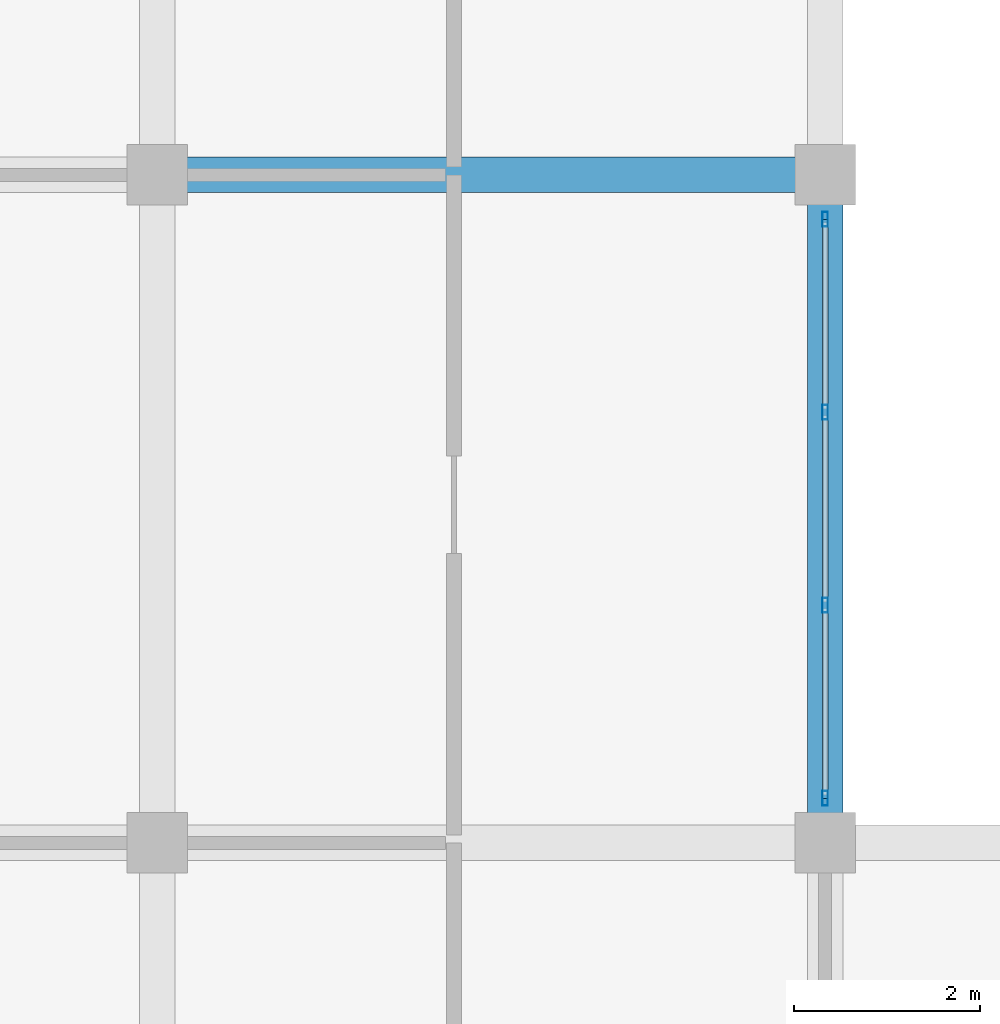
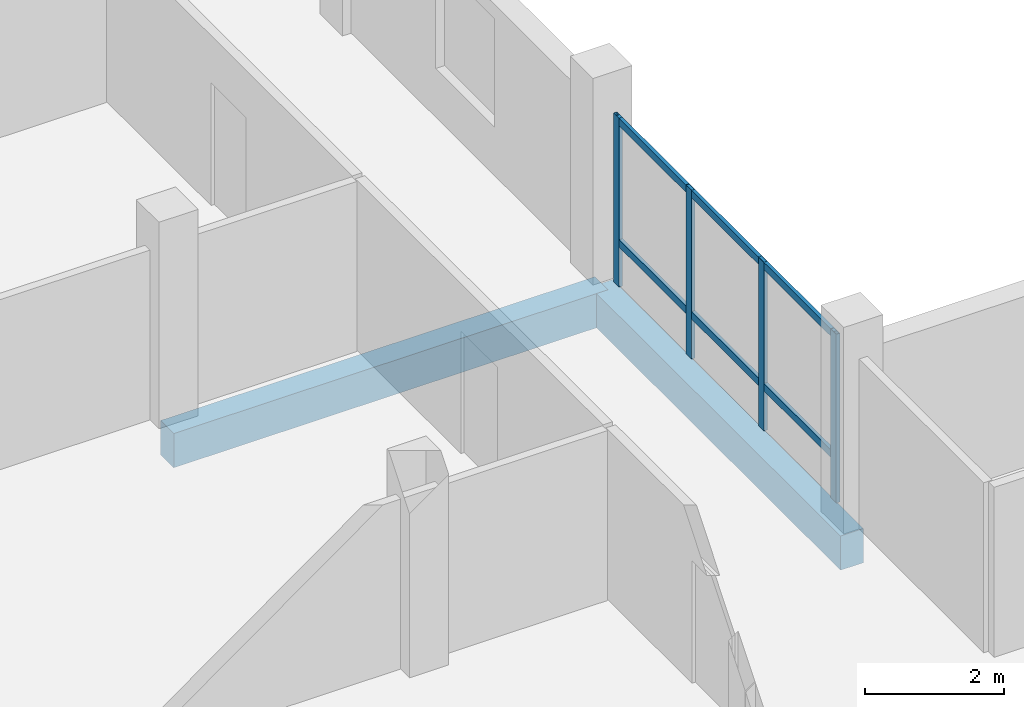
# One storey, part 3 of 93: 6 members, 2 beams, 1 element without a shape of its own.
"""IFC4 building model written with IfcOpenShell, lengths in metres."""

from ifc_helpers import new_model, si_unit, direction, frame, origin, origin_2d, place, context, subcontext, project, spatial, rectangle, hollow_rectangle, extrude, material, material_profile, profile_set, type_object, element, aggregate, save


model = new_model("IFC4")

# Units and contexts
model_context = context("Model", 3, precision=1e-05, world=origin(), true_north=direction((0.0, 1.0)))
body_context = subcontext(model_context, "Body", "Model", "MODEL_VIEW")
ifc_project = project(units=[si_unit("LENGTHUNIT", "METRE"), si_unit("AREAUNIT", "SQUARE_METRE"), si_unit("VOLUMEUNIT", "CUBIC_METRE"), si_unit("PLANEANGLEUNIT", "RADIAN"), si_unit("MASSUNIT", "GRAM", prefix="KILO")], contexts=[model_context])

# Site, building, storey
site_placement = place(None, origin())
site = spatial("IfcSite", under=ifc_project, at=site_placement, CompositionType="ELEMENT")
building_placement = place(site_placement, origin())
building = spatial("IfcBuilding", under=site, at=building_placement, Name="Zornivar Specialist Clinic", CompositionType="ELEMENT")
storey_placement = place(building_placement, frame((0.0, 0.0, 8.39990234375)))
storey = spatial("IfcBuildingStorey", under=building, at=storey_placement, Name="L02", CompositionType="ELEMENT", Elevation=8.39990234375)

# Beams
ifc_material_1 = material(Name="Concrete C30/37", Category="concrete")
ifc_material_profile_1 = material_profile(ifc_material_1, rectangle(XDim=0.3798828125, YDim=0.60009765625, at=origin_2d()), Name="RC 380x600")
ifc_profile_set_1 = profile_set([ifc_material_profile_1], Name="Concrete C30/37")
beam_type = type_object("IfcBeamType", Name="BM-RC-380x600", PredefinedType="BEAM", material=ifc_profile_set_1)
beam_1_placement = place(storey_placement, frame((7.199951171875, 21.60009765625, -0.579833984375), z_axis=(1.0, 0.0, 0.0), x_axis=(0.0, 1.0, 0.0)))
element("IfcBeam", 1, at=beam_1_placement, inside=storey, type_object=beam_type, Name="bm:V2:L02:x:216:1", PredefinedType="BEAM", context=body_context, shape_type="SweptSolid", body=[
    extrude(rectangle(XDim=0.3798828125, YDim=0.60009765625, at=origin_2d()), origin(), (0.0, 0.0, 1.0), 7.199951171875),
])
beam_2_placement = place(storey_placement, frame((14.39990234375, 14.39990234375, -0.579833984375), z_axis=(0.0, 1.0, 0.0), x_axis=(-1.0, 0.0, 0.0)))
element("IfcBeam", 2, at=beam_2_placement, inside=storey, type_object=beam_type, Name="bm:V2:L02:y:144:2", PredefinedType="BEAM", context=body_context, shape_type="SweptSolid", body=[
    extrude(rectangle(XDim=0.3798828125, YDim=0.60009765625, at=origin_2d()), origin(), (0.0, 0.0, 1.0), 7.2001953125),
])

# Curtain wall, members
ifc_material_2 = material(Name="Aluminium and Low-E Glass Curtain Wall", Category="aluminium")
curtain_wall_type = type_object("IfcCurtainWallType", Name="CW-REVAK-COURT", PredefinedType="NOTDEFINED", material=ifc_material_2)
curtain_wall_placement = place(storey_placement, origin())
curtain_wall = element("IfcCurtainWall", 3, at=curtain_wall_placement, inside=storey, type_object=curtain_wall_type, Name="cw:V2:L02:14", PredefinedType="NOTDEFINED")
ifc_material_3 = material(Name="Aluminium AW-6060", Category="aluminium")
ifc_material_profile_2 = material_profile(ifc_material_3, hollow_rectangle(XDim=0.06005859375, YDim=0.159912109375, WallThickness=0.00390625, at=origin_2d()), Name="ALU 60x160x4")
ifc_profile_set_2 = profile_set([ifc_material_profile_2], Name="Aluminium AW-6060")
member_type_1 = type_object("IfcMemberType", Name="CWM-MUL-160", PredefinedType="MULLION", material=ifc_profile_set_2)
member_1_placement = place(storey_placement, frame((14.39990234375, 14.8798828125, 0.0), z_axis=(0.0, 0.0, 1.0), x_axis=(1.0, 0.0, 0.0)))
member_1 = element("IfcMember", 4, at=member_1_placement, type_object=member_type_1, Name="cw:V2:L02:14:mul:0", PredefinedType="MULLION", context=body_context, shape_type="SweptSolid", body=[
    extrude(hollow_rectangle(XDim=0.06005859375, YDim=0.159912109375, WallThickness=0.00390625, at=origin_2d()), origin(), (0.0, 0.0, 1.0), 2.960205078125),
])
member_2_placement = place(storey_placement, frame((14.39990234375, 16.9599609375, 0.0), z_axis=(0.0, 0.0, 1.0), x_axis=(1.0, 0.0, 0.0)))
member_2 = element("IfcMember", 5, at=member_2_placement, type_object=member_type_1, Name="cw:V2:L02:14:mul:1", PredefinedType="MULLION", context=body_context, shape_type="SweptSolid", body=[
    extrude(hollow_rectangle(XDim=0.06005859375, YDim=0.159912109375, WallThickness=0.00390625, at=origin_2d()), origin(), (0.0, 0.0, 1.0), 2.960205078125),
])
member_3_placement = place(storey_placement, frame((14.39990234375, 19.0400390625, 0.0), z_axis=(0.0, 0.0, 1.0), x_axis=(1.0, 0.0, 0.0)))
member_3 = element("IfcMember", 6, at=member_3_placement, type_object=member_type_1, Name="cw:V2:L02:14:mul:2", PredefinedType="MULLION", context=body_context, shape_type="SweptSolid", body=[
    extrude(hollow_rectangle(XDim=0.06005859375, YDim=0.159912109375, WallThickness=0.00390625, at=origin_2d()), origin(), (0.0, 0.0, 1.0), 2.960205078125),
])
member_4_placement = place(storey_placement, frame((14.39990234375, 21.1201171875, 0.0), z_axis=(0.0, 0.0, 1.0), x_axis=(1.0, 0.0, 0.0)))
member_4 = element("IfcMember", 7, at=member_4_placement, type_object=member_type_1, Name="cw:V2:L02:14:mul:3", PredefinedType="MULLION", context=body_context, shape_type="SweptSolid", body=[
    extrude(hollow_rectangle(XDim=0.06005859375, YDim=0.159912109375, WallThickness=0.00390625, at=origin_2d()), origin(), (0.0, 0.0, 1.0), 2.960205078125),
])
ifc_material_4 = material(Name="Aluminium AW-6060", Category="aluminium")
ifc_material_profile_3 = material_profile(ifc_material_4, hollow_rectangle(XDim=0.06005859375, YDim=0.1298828125, WallThickness=0.00390625, at=origin_2d()), Name="ALU 60x130x4")
ifc_profile_set_3 = profile_set([ifc_material_profile_3], Name="Aluminium AW-6060")
member_type_2 = type_object("IfcMemberType", Name="CWM-TRN-130", PredefinedType="USERDEFINED", material=ifc_profile_set_3)
member_5_placement = place(storey_placement, frame((14.39990234375, 14.8798828125, 0.77001953125), z_axis=(0.0, 1.0, 0.0), x_axis=(-1.0, 0.0, 0.0)))
member_5 = element("IfcMember", 8, at=member_5_placement, type_object=member_type_2, Name="cw:V2:L02:14:trn:0", ObjectType="TRANSOM", PredefinedType="USERDEFINED", context=body_context, shape_type="SweptSolid", body=[
    extrude(hollow_rectangle(XDim=0.06005859375, YDim=0.1298828125, WallThickness=0.00390625, at=origin_2d()), origin(), (0.0, 0.0, 1.0), 6.240234375),
])
member_6_placement = place(storey_placement, frame((14.39990234375, 14.8798828125, 2.89501953125), z_axis=(0.0, 1.0, 0.0), x_axis=(-1.0, 0.0, 0.0)))
member_6 = element("IfcMember", 9, at=member_6_placement, type_object=member_type_2, Name="cw:V2:L02:14:trn:1", ObjectType="TRANSOM", PredefinedType="USERDEFINED", context=body_context, shape_type="SweptSolid", body=[
    extrude(hollow_rectangle(XDim=0.06005859375, YDim=0.1298828125, WallThickness=0.00390625, at=origin_2d()), origin(), (0.0, 0.0, 1.0), 6.240234375),
])
aggregate(curtain_wall, [member_1, member_2, member_3, member_4, member_5, member_6])

save(model, "model.ifc")
